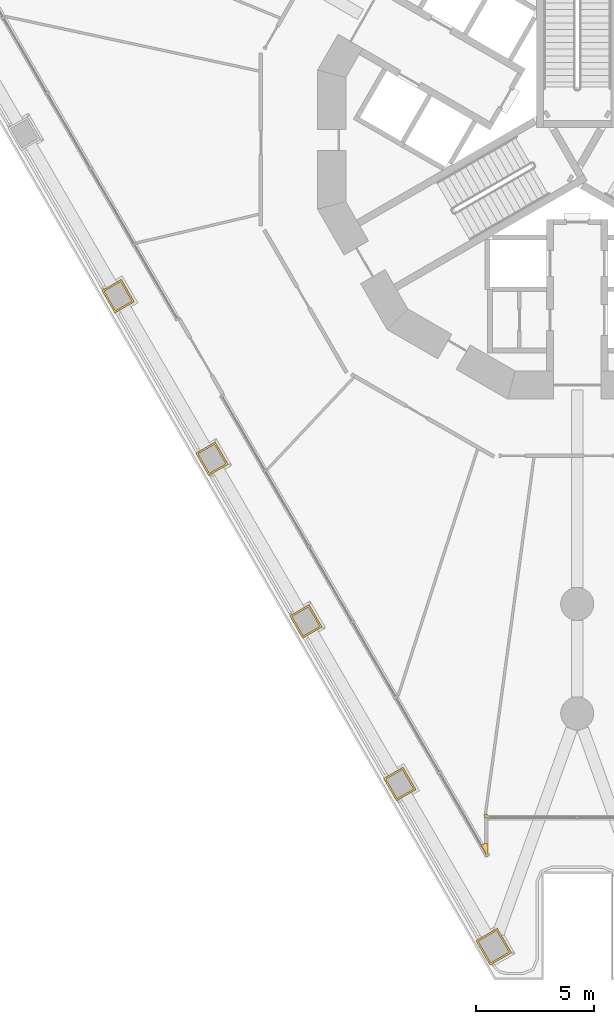
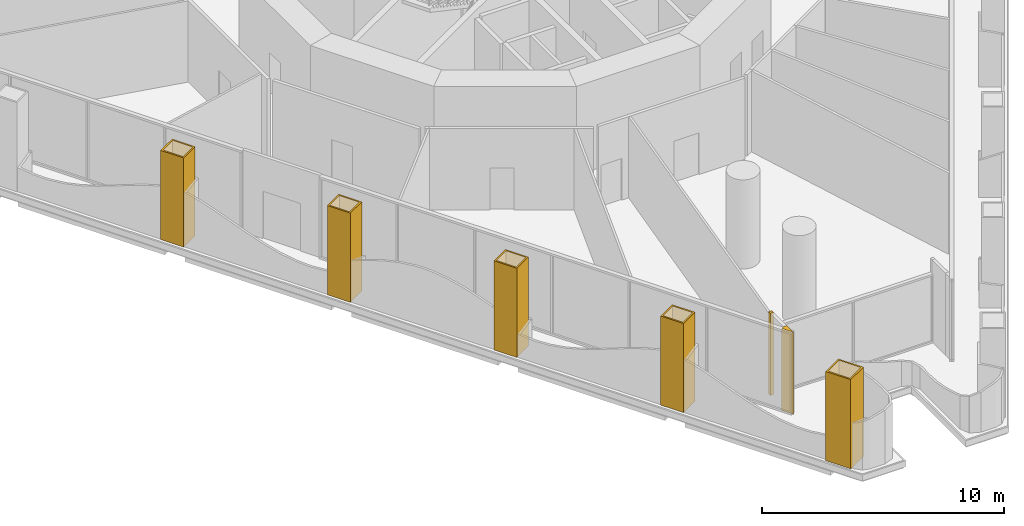
# One storey, part 14 of 21: 7 coverings.
"""IFC4 building model written with IfcOpenShell, lengths in metres."""

from ifc_helpers import new_model, si_unit, direction, frame, origin, place, context, subcontext, project, spatial, polyline, outline, extrude, material, layer, layer_set, type_object, element, save


model = new_model("IFC4")

# Units and contexts
model_context = context("Model", 3, precision=1e-05, world=origin(), true_north=direction((0.0, 1.0)))
body_context = subcontext(model_context, "Body", "Model", "MODEL_VIEW")
ifc_project = project(units=[si_unit("LENGTHUNIT", "METRE"), si_unit("AREAUNIT", "SQUARE_METRE"), si_unit("VOLUMEUNIT", "CUBIC_METRE"), si_unit("PLANEANGLEUNIT", "RADIAN"), si_unit("MASSUNIT", "GRAM", prefix="KILO")], contexts=[model_context])

# Site, building, storey
site_placement = place(None, origin())
site = spatial("IfcSite", under=ifc_project, at=site_placement, CompositionType="ELEMENT")
building_placement = place(site_placement, origin())
building = spatial("IfcBuilding", under=site, at=building_placement, Name="Trine Commons Tower", CompositionType="ELEMENT")
storey_placement = place(building_placement, frame((0.0, 0.0, 9.0)))
storey = spatial("IfcBuildingStorey", under=building, at=storey_placement, Name="L01", CompositionType="ELEMENT", Elevation=9.0)

# Coverings
ifc_material_1 = material(Name="Aluminium-framed insulated wall panel", Category="aluminium")
ifc_layer_1 = layer(ifc_material_1, 0.14990234375)
ifc_layer_set_1 = layer_set([ifc_layer_1], Name="Aluminium-framed insulated wall panel")
covering_type_1 = type_object("IfcCoveringType", Name="Glazing corner post, aluminium", PredefinedType="CLADDING", material=ifc_layer_set_1)
covering_1_placement = place(storey_placement, origin())
element("IfcCovering", 1, at=covering_1_placement, inside=storey, type_object=covering_type_1, Name="Glazing corner post 1-11", PredefinedType="CLADDING", context=body_context, shape_type="SweptSolid", body=[
    extrude(outline(polyline([(76.2099609375, 33.870849609375), (76.06005859375, 33.870849609375), (76.06005859375, 33.720703125), (76.2099609375, 33.720703125), (76.2099609375, 33.870849609375)])), origin(), (0.0, 0.0, 1.0), 4.14990234375),
])
covering_2_placement = place(storey_placement, origin())
element("IfcCovering", 2, at=covering_2_placement, inside=storey, type_object=covering_type_1, Name="Glazing corner post 1-12", PredefinedType="CLADDING", context=body_context, shape_type="SweptSolid", body=[
    extrude(outline(polyline([(75.93017578125, 32.56005859375), (76.2099609375, 32.0751953125), (76.2099609375, 32.635009765625), (76.06005859375, 32.635009765625), (75.93017578125, 32.56005859375)])), origin(), (0.0, 0.0, 1.0), 4.14990234375),
])
ifc_material_2 = material(Name="Limestone, honed", Category="masonry")
ifc_layer_2 = layer(ifc_material_2, 0.074951171875)
ifc_layer_set_2 = layer_set([ifc_layer_2], Name="Limestone, honed")
covering_type_2 = type_object("IfcCoveringType", Name="Limestone column cladding 75", PredefinedType="CLADDING", material=ifc_layer_set_2)
covering_3_placement = place(storey_placement, origin())
element("IfcCovering", 3, at=covering_3_placement, inside=storey, type_object=covering_type_2, Name="Limestone pier cladding 1-01", PredefinedType="CLADDING", context=body_context, shape_type="SweptSolid", body=[
    extrude(outline(polyline([(76.610107421875, 29.052001953125), (75.70068359375, 28.527099609375), (76.30078125, 27.48779296875), (77.210205078125, 28.012939453125), (76.610107421875, 29.052001953125)]), holes=[polyline([(76.582763671875, 28.94970703125), (75.80322265625, 28.499755859375), (76.328369140625, 27.59033203125), (77.107666015625, 28.040283203125), (76.582763671875, 28.94970703125)])]), origin(), (0.0, 0.0, 1.0), 4.5),
])
covering_4_placement = place(storey_placement, origin())
element("IfcCovering", 4, at=covering_4_placement, inside=storey, type_object=covering_type_2, Name="Limestone pier cladding 1-02", PredefinedType="CLADDING", context=body_context, shape_type="SweptSolid", body=[
    extrude(outline(polyline([(72.610107421875, 35.88037109375), (71.787353515625, 35.4052734375), (72.33740234375, 34.45263671875), (73.16015625, 34.927734375), (72.610107421875, 35.88037109375)]), holes=[polyline([(72.582763671875, 35.77783203125), (71.889892578125, 35.3779296875), (72.364990234375, 34.55517578125), (73.0576171875, 34.955078125), (72.582763671875, 35.77783203125)])]), origin(), (0.0, 0.0, 1.0), 4.5),
])
covering_5_placement = place(storey_placement, origin())
element("IfcCovering", 5, at=covering_5_placement, inside=storey, type_object=covering_type_2, Name="Limestone pier cladding 1-03", PredefinedType="CLADDING", context=body_context, shape_type="SweptSolid", body=[
    extrude(outline(polyline([(68.62841796875, 42.77685546875), (67.8056640625, 42.3017578125), (68.355712890625, 41.34912109375), (69.178466796875, 41.82421875), (68.62841796875, 42.77685546875)]), holes=[polyline([(68.60107421875, 42.67431640625), (67.908203125, 42.2744140625), (68.38330078125, 41.45166015625), (69.075927734375, 41.8515625), (68.60107421875, 42.67431640625)])]), origin(), (0.0, 0.0, 1.0), 4.5),
])
covering_6_placement = place(storey_placement, origin())
element("IfcCovering", 6, at=covering_6_placement, inside=storey, type_object=covering_type_2, Name="Limestone pier cladding 1-04", PredefinedType="CLADDING", context=body_context, shape_type="SweptSolid", body=[
    extrude(outline(polyline([(64.64697265625, 49.67333984375), (63.82421875, 49.1982421875), (64.3740234375, 48.24560546875), (65.197021484375, 48.720703125), (64.64697265625, 49.67333984375)]), holes=[polyline([(64.619384765625, 49.57080078125), (63.926513671875, 49.1708984375), (64.401611328125, 48.34814453125), (65.094482421875, 48.748046875), (64.619384765625, 49.57080078125)])]), origin(), (0.0, 0.0, 1.0), 4.5),
])
covering_7_placement = place(storey_placement, origin())
element("IfcCovering", 7, at=covering_7_placement, inside=storey, type_object=covering_type_2, Name="Limestone pier cladding 1-05", PredefinedType="CLADDING", context=body_context, shape_type="SweptSolid", body=[
    extrude(outline(polyline([(60.665283203125, 56.569580078125), (59.84228515625, 56.0947265625), (60.392333984375, 55.14208984375), (61.215087890625, 55.6171875), (60.665283203125, 56.569580078125)]), holes=[polyline([(60.6376953125, 56.46728515625), (59.94482421875, 56.0673828125), (60.419921875, 55.244384765625), (61.11279296875, 55.64453125), (60.6376953125, 56.46728515625)])]), origin(), (0.0, 0.0, 1.0), 4.5),
])

save(model, "model.ifc")
